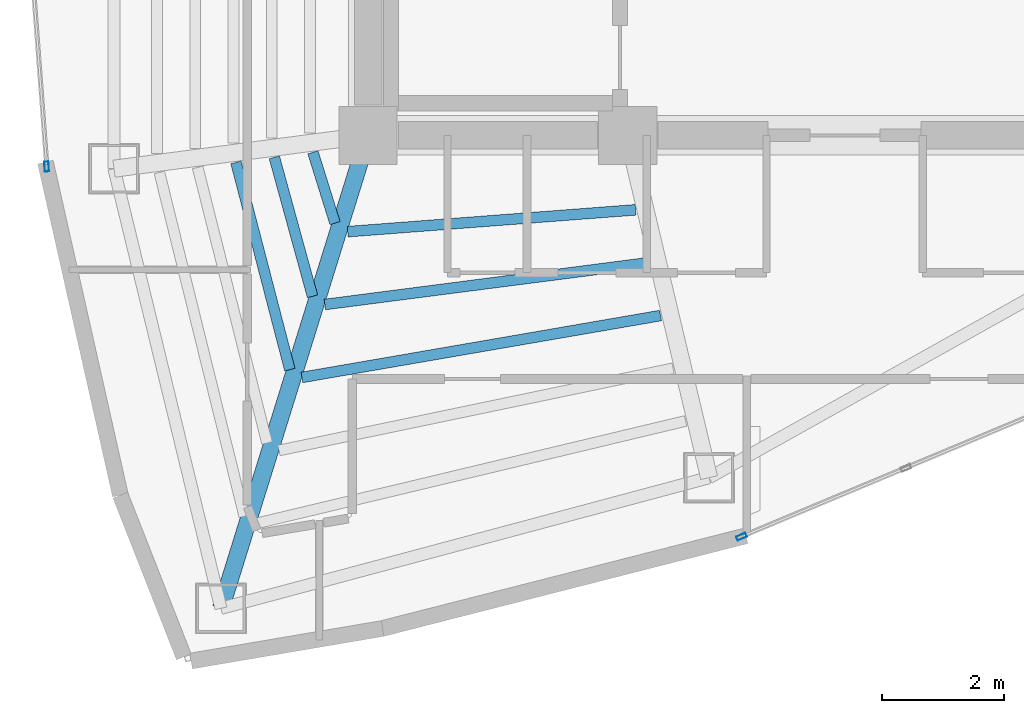
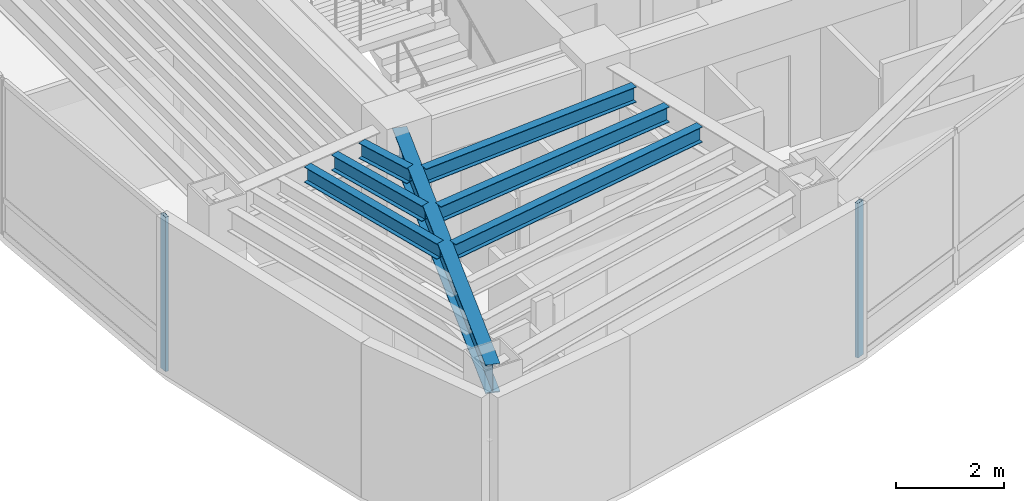
# One storey, part 2 of 15: 7 beams, 2 members, 2 elements without a shape of their own.
"""IFC4 building model written with IfcOpenShell, lengths in metres."""

from ifc_helpers import new_model, si_unit, direction, frame, origin, origin_2d, place, context, subcontext, project, spatial, hollow_rectangle, i_section, extrude, material, layer, layer_set, material_profile, profile_set, type_object, element, aggregate, save


model = new_model("IFC4")

# Units and contexts
model_context = context("Model", 3, precision=1e-05, world=origin(), true_north=direction((0.0, 1.0)))
body_context = subcontext(model_context, "Body", "Model", "MODEL_VIEW")
ifc_project = project(units=[si_unit("LENGTHUNIT", "METRE"), si_unit("AREAUNIT", "SQUARE_METRE"), si_unit("VOLUMEUNIT", "CUBIC_METRE"), si_unit("PLANEANGLEUNIT", "RADIAN"), si_unit("MASSUNIT", "GRAM", prefix="KILO")], contexts=[model_context])

# Site, building, storey
site_placement = place(None, origin())
site = spatial("IfcSite", under=ifc_project, at=site_placement, CompositionType="ELEMENT")
building_placement = place(site_placement, origin())
building = spatial("IfcBuilding", under=site, at=building_placement, Name="Menara Vayukalpa", CompositionType="ELEMENT")
storey_placement = place(building_placement, frame((0.0, 0.0, 291.780029296875)))
storey = spatial("IfcBuildingStorey", under=building, at=storey_placement, Name="L74", CompositionType="ELEMENT", Elevation=291.780029296875)

# Beams
ifc_material_1 = material(Name="Steel S355", Category="steel")
ifc_material_profile_1 = material_profile(ifc_material_1, i_section(OverallWidth=0.280029296875, OverallDepth=0.64990234375, WebThickness=0.012939453125, FlangeThickness=0.02197265625, at=origin_2d()), Name="WF 650x280x13x22")
ifc_profile_set_1 = profile_set([ifc_material_profile_1], Name="Steel S355")
beam_type_1 = type_object("IfcBeamType", Name="BM-PG6", PredefinedType="BEAM", material=ifc_profile_set_1)
beam_1_placement = place(storey_placement, frame((17.7255859375, 16.961181640625, 3.175048828125), z_axis=(-0.297213792842, -0.954810955815, 0.0), x_axis=(0.954810955815, -0.297213792842, 0.0)))
element("IfcBeam", 1, at=beam_1_placement, inside=storey, type_object=beam_type_1, Name="L74 Primary Radial Girder RG07", PredefinedType="BEAM", context=body_context, shape_type="SweptSolid", body=[
    extrude(i_section(OverallWidth=0.280029296875, OverallDepth=0.64990234375, WebThickness=0.012939453125, FlangeThickness=0.02197265625, at=origin_2d()), origin(), (0.0, 0.0, 1.0), 7.861083984375),
])
ifc_material_2 = material(Name="Steel S355", Category="steel")
ifc_material_profile_2 = material_profile(ifc_material_2, i_section(OverallWidth=0.175048828125, OverallDepth=0.35009765625, WebThickness=0.007080078125, FlangeThickness=0.010986328125, at=origin_2d()), Name="WF 350x175x7x11")
ifc_profile_set_2 = profile_set([ifc_material_profile_2], Name="Steel S355")
beam_type_2 = type_object("IfcBeamType", Name="BM-SJ3", PredefinedType="JOIST", material=ifc_profile_set_2)
beam_2_placement = place(storey_placement, frame((16.8955078125, 16.922119140625, 3.324951171875), z_axis=(0.297954442868, -0.954580090917, 0.0), x_axis=(0.954580090917, 0.297954442868, 0.0)))
element("IfcBeam", 2, at=beam_2_placement, inside=storey, type_object=beam_type_2, Name="L74 Secondary Floor Joist SJ06-1", PredefinedType="JOIST", context=body_context, shape_type="SweptSolid", body=[
    extrude(i_section(OverallWidth=0.175048828125, OverallDepth=0.35009765625, WebThickness=0.007080078125, FlangeThickness=0.010986328125, at=origin_2d()), origin(), (0.0, 0.0, 1.0), 1.21435546875),
])
beam_3_placement = place(storey_placement, frame((16.263916015625, 16.83837890625, 3.324951171875), z_axis=(0.264947201585, -0.96426292077, 0.0), x_axis=(0.96426292077, 0.264947201585, 0.0)))
element("IfcBeam", 3, at=beam_3_placement, inside=storey, type_object=beam_type_2, Name="L74 Secondary Floor Joist SJ06-2", PredefinedType="JOIST", context=body_context, shape_type="SweptSolid", body=[
    extrude(i_section(OverallWidth=0.175048828125, OverallDepth=0.35009765625, WebThickness=0.007080078125, FlangeThickness=0.010986328125, at=origin_2d()), origin(), (0.0, 0.0, 1.0), 2.35888671875),
])
beam_4_placement = place(storey_placement, frame((15.6357421875, 16.755615234375, 3.324951171875), z_axis=(0.251457685321, -0.967868292947, 0.0), x_axis=(0.967868292947, 0.251457685321, 0.0)))
element("IfcBeam", 4, at=beam_4_placement, inside=storey, type_object=beam_type_2, Name="L74 Secondary Floor Joist SJ06-3", PredefinedType="JOIST", context=body_context, shape_type="SweptSolid", body=[
    extrude(i_section(OverallWidth=0.175048828125, OverallDepth=0.35009765625, WebThickness=0.007080078125, FlangeThickness=0.010986328125, at=origin_2d()), origin(), (0.0, 0.0, 1.0), 3.5048828125),
])
beam_5_placement = place(storey_placement, frame((17.464599609375, 15.622314453125, 3.324951171875), z_axis=(0.997140447376, 0.075570683512, 0.0), x_axis=(-0.075570683512, 0.997140447376, 0.0)))
element("IfcBeam", 5, at=beam_5_placement, inside=storey, type_object=beam_type_2, Name="L74 Secondary Floor Joist SJ07-1", PredefinedType="JOIST", context=body_context, shape_type="SweptSolid", body=[
    extrude(i_section(OverallWidth=0.175048828125, OverallDepth=0.35009765625, WebThickness=0.007080078125, FlangeThickness=0.010986328125, at=origin_2d()), origin(), (0.0, 0.0, 1.0), 4.726318359375),
])
beam_6_placement = place(storey_placement, frame((17.08984375, 14.4296875, 3.324951171875), z_axis=(0.991761375414, 0.128099079766, 0.0), x_axis=(-0.128099079766, 0.991761375414, 0.0)))
element("IfcBeam", 6, at=beam_6_placement, inside=storey, type_object=beam_type_2, Name="L74 Secondary Floor Joist SJ07-2", PredefinedType="JOIST", context=body_context, shape_type="SweptSolid", body=[
    extrude(i_section(OverallWidth=0.175048828125, OverallDepth=0.35009765625, WebThickness=0.007080078125, FlangeThickness=0.010986328125, at=origin_2d()), origin(), (0.0, 0.0, 1.0), 5.33642578125),
])
beam_7_placement = place(storey_placement, frame((16.715087890625, 13.235595703125, 3.324951171875), z_axis=(0.985438818134, 0.170030396443, 0.0), x_axis=(-0.170030396443, 0.985438818134, 0.0)))
element("IfcBeam", 7, at=beam_7_placement, inside=storey, type_object=beam_type_2, Name="L74 Secondary Floor Joist SJ07-3", PredefinedType="JOIST", context=body_context, shape_type="SweptSolid", body=[
    extrude(i_section(OverallWidth=0.175048828125, OverallDepth=0.35009765625, WebThickness=0.007080078125, FlangeThickness=0.010986328125, at=origin_2d()), origin(), (0.0, 0.0, 1.0), 5.958740234375),
])

# Curtain wall, member
ifc_material_3 = material(Name="Anodised Terracotta Aluminium Alloy 6063-T6", Category="masonry")
ifc_layer = layer(ifc_material_3, 0.1650390625)
ifc_layer_set = layer_set([ifc_layer], Name="Anodised Terracotta Aluminium Alloy 6063-T6")
curtain_wall_type = type_object("IfcCurtainWallType", Name="CW-CW6", PredefinedType="USERDEFINED", material=ifc_layer_set)
curtain_wall_1_placement = place(storey_placement, origin())
curtain_wall_1 = element("IfcCurtainWall", 8, at=curtain_wall_1_placement, inside=storey, type_object=curtain_wall_type, Name="L74 Observation and Executive Curtain Wall CW6 11", ObjectType="UNITISED", PredefinedType="USERDEFINED")
ifc_material_4 = material(Name="Anodised Terracotta Aluminium Alloy 6063-T6", Category="masonry")
ifc_material_profile_3 = material_profile(ifc_material_4, hollow_rectangle(XDim=0.070068359375, YDim=0.1650390625, WallThickness=0.00390625, at=origin_2d()), Name="ALU 70x165x4")
ifc_profile_set_3 = profile_set([ifc_material_profile_3], Name="Anodised Terracotta Aluminium Alloy 6063-T6")
member_type = type_object("IfcMemberType", Name="CWM-CW6", PredefinedType="MULLION", material=ifc_profile_set_3)
member_1_placement = place(storey_placement, frame((12.536376953125, 16.688232421875, 0.0), z_axis=(0.0, 0.0, 1.0), x_axis=(0.997199344663, 0.074789484574, 0.0)))
member_1 = element("IfcMember", 9, at=member_1_placement, type_object=member_type, Name="CW6 mullion 2", PredefinedType="MULLION", context=body_context, shape_type="SweptSolid", body=[
    extrude(hollow_rectangle(XDim=0.070068359375, YDim=0.1650390625, WallThickness=0.00390625, at=origin_2d()), origin(), (0.0, 0.0, 1.0), 3.5),
])
aggregate(curtain_wall_1, [member_1])

curtain_wall_2_placement = place(storey_placement, origin())
curtain_wall_2 = element("IfcCurtainWall", 10, at=curtain_wall_2_placement, inside=storey, type_object=curtain_wall_type, Name="L74 Observation and Executive Curtain Wall CW6 16", ObjectType="UNITISED", PredefinedType="USERDEFINED")
member_2_placement = place(storey_placement, frame((23.913330078125, 10.62841796875, 0.0), z_axis=(0.0, 0.0, 1.0), x_axis=(-0.385899911703, 0.922540653927, 0.0)))
member_2 = element("IfcMember", 11, at=member_2_placement, type_object=member_type, Name="CW6 mullion 1", PredefinedType="MULLION", context=body_context, shape_type="SweptSolid", body=[
    extrude(hollow_rectangle(XDim=0.070068359375, YDim=0.1650390625, WallThickness=0.00390625, at=origin_2d()), origin(), (0.0, 0.0, 1.0), 3.5),
])
aggregate(curtain_wall_2, [member_2])

save(model, "model.ifc")
